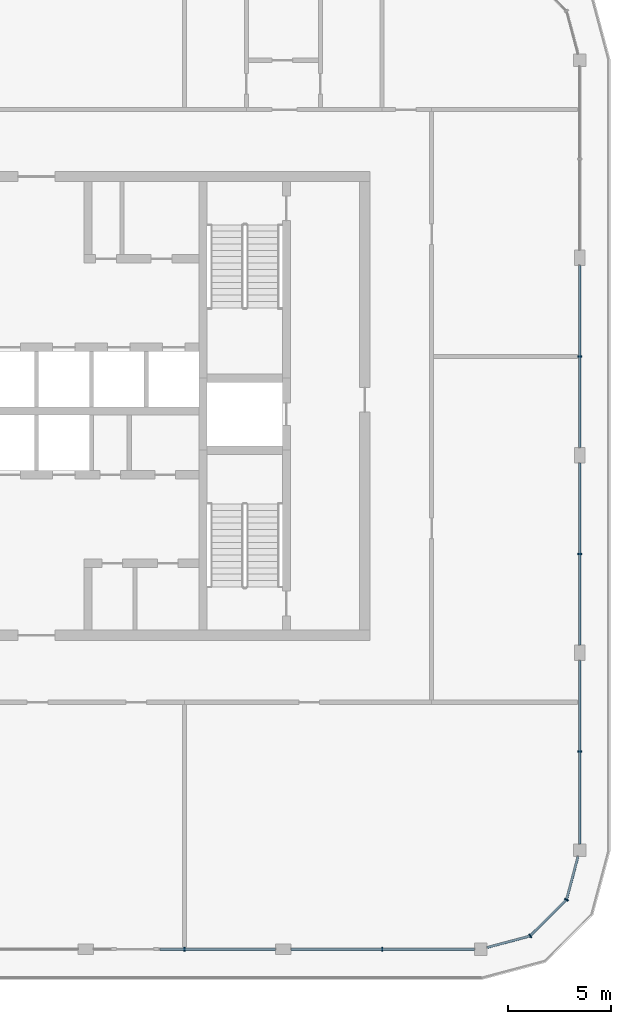
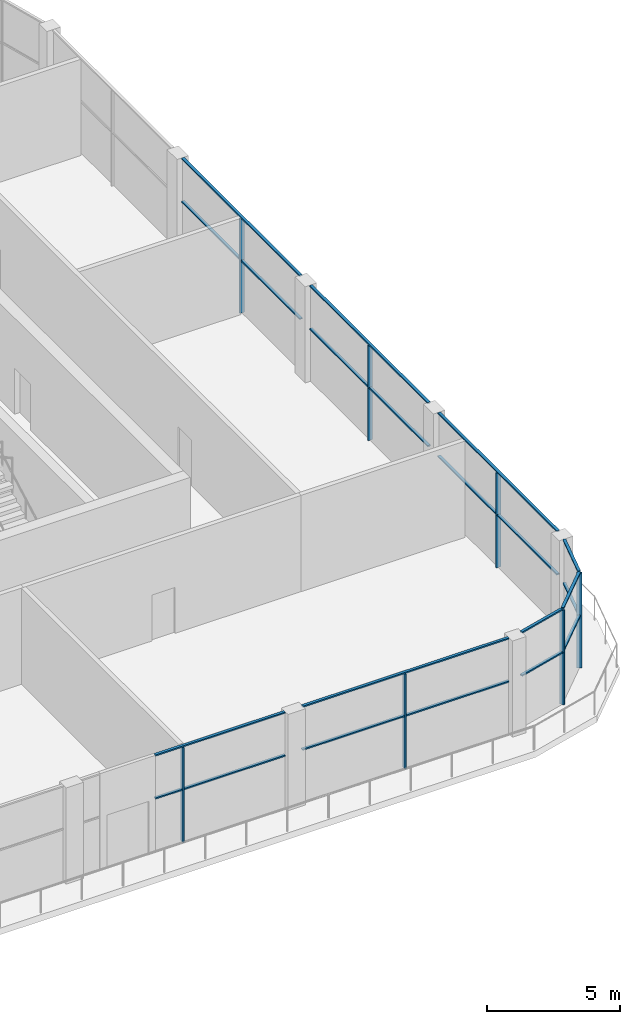
# One storey, part 4 of 15: 28 members, 6 elements without a shape of their own.
"""IFC4 building model written with IfcOpenShell, lengths in metres."""

from ifc_helpers import new_model, si_unit, direction, frame, origin, origin_2d, place, context, subcontext, project, spatial, rectangle, extrude, material, layer, layer_set, material_profile, profile_set, type_object, element, aggregate, save


model = new_model("IFC4")

# Units and contexts
model_context = context("Model", 3, precision=1e-05, world=origin(), true_north=direction((0.0, 1.0)))
body_context = subcontext(model_context, "Body", "Model", "MODEL_VIEW")
ifc_project = project(units=[si_unit("LENGTHUNIT", "METRE"), si_unit("AREAUNIT", "SQUARE_METRE"), si_unit("VOLUMEUNIT", "CUBIC_METRE"), si_unit("PLANEANGLEUNIT", "RADIAN"), si_unit("MASSUNIT", "GRAM", prefix="KILO")], contexts=[model_context])

# Site, building, storey
site_placement = place(None, origin())
site = spatial("IfcSite", under=ifc_project, at=site_placement, CompositionType="ELEMENT")
building_placement = place(site_placement, origin())
building = spatial("IfcBuilding", under=site, at=building_placement, Name="Madar Terraces", CompositionType="ELEMENT")
storey_placement = place(building_placement, frame((0.0, 0.0, 291.5)))
storey = spatial("IfcBuildingStorey", under=building, at=storey_placement, Name="L76", CompositionType="ELEMENT", Elevation=291.5)

# Curtain wall, member
ifc_material_1 = material(Name="Glass, clear low-iron, with black aluminium frame", Category="aluminium")
ifc_layer = layer(ifc_material_1, 0.199951171875)
ifc_layer_set = layer_set([ifc_layer], Name="Facade curtain wall, observation glazing")
curtain_wall_type = type_object("IfcCurtainWallType", Name="Facade curtain wall, observation glazing", PredefinedType="NOTDEFINED", material=ifc_layer_set)
curtain_wall_1_placement = place(storey_placement, origin())
curtain_wall_1 = element("IfcCurtainWall", 1, at=curtain_wall_1_placement, inside=storey, type_object=curtain_wall_type, Name="Outer skin curtain wall south bay 4", PredefinedType="NOTDEFINED")
ifc_material_2 = material(Name="Aluminium, black anodised", Category="aluminium")
ifc_material_profile_1 = material_profile(ifc_material_2, rectangle(XDim=0.199951171875, YDim=0.06005859375, at=origin_2d()), Name="Facade mullion 60x200")
ifc_profile_set_1 = profile_set([ifc_material_profile_1], Name="Aluminium, black anodised")
member_type_1 = type_object("IfcMemberType", Name="Facade mullion 60x200", PredefinedType="MULLION", material=ifc_profile_set_1)
member_1_placement = place(storey_placement, frame((38.39990234375, 0.0, 0.0), z_axis=(0.0, 0.0, 1.0), x_axis=(0.0, 1.0, 0.0)))
member_1 = element("IfcMember", 2, at=member_1_placement, type_object=member_type_1, Name="Mullion 1", PredefinedType="MULLION", context=body_context, shape_type="SweptSolid", body=[
    extrude(rectangle(XDim=0.199951171875, YDim=0.06005859375, at=origin_2d()), origin(), (0.0, 0.0, 1.0), 4.340087890625),
])

curtain_wall_2_placement = place(storey_placement, origin())
curtain_wall_2 = element("IfcCurtainWall", 3, at=curtain_wall_2_placement, inside=storey, type_object=curtain_wall_type, Name="Outer skin curtain wall south bay 5", PredefinedType="NOTDEFINED")
member_2_placement = place(storey_placement, frame((48.0, 0.0, 0.0), z_axis=(0.0, 0.0, 1.0), x_axis=(0.0, 1.0, 0.0)))
member_2 = element("IfcMember", 4, at=member_2_placement, type_object=member_type_1, Name="Mullion 1", PredefinedType="MULLION", context=body_context, shape_type="SweptSolid", body=[
    extrude(rectangle(XDim=0.199951171875, YDim=0.06005859375, at=origin_2d()), origin(), (0.0, 0.0, 1.0), 4.340087890625),
])

curtain_wall_3_placement = place(storey_placement, origin())
curtain_wall_3 = element("IfcCurtainWall", 5, at=curtain_wall_3_placement, inside=storey, type_object=curtain_wall_type, Name="Outer skin curtain wall east bay 1", PredefinedType="NOTDEFINED")
member_3_placement = place(storey_placement, frame((57.60009765625, 9.60009765625, 0.0), z_axis=(0.0, 0.0, 1.0), x_axis=(-1.0, 0.0, 0.0)))
member_3 = element("IfcMember", 6, at=member_3_placement, type_object=member_type_1, Name="Mullion 1", PredefinedType="MULLION", context=body_context, shape_type="SweptSolid", body=[
    extrude(rectangle(XDim=0.199951171875, YDim=0.06005859375, at=origin_2d()), origin(), (0.0, 0.0, 1.0), 4.340087890625),
])

curtain_wall_4_placement = place(storey_placement, origin())
curtain_wall_4 = element("IfcCurtainWall", 7, at=curtain_wall_4_placement, inside=storey, type_object=curtain_wall_type, Name="Outer skin curtain wall east bay 2", PredefinedType="NOTDEFINED")
member_4_placement = place(storey_placement, frame((57.60009765625, 19.199951171875, 0.0), z_axis=(0.0, 0.0, 1.0), x_axis=(-1.0, 0.0, 0.0)))
member_4 = element("IfcMember", 8, at=member_4_placement, type_object=member_type_1, Name="Mullion 1", PredefinedType="MULLION", context=body_context, shape_type="SweptSolid", body=[
    extrude(rectangle(XDim=0.199951171875, YDim=0.06005859375, at=origin_2d()), origin(), (0.0, 0.0, 1.0), 4.340087890625),
])

curtain_wall_5_placement = place(storey_placement, origin())
curtain_wall_5 = element("IfcCurtainWall", 9, at=curtain_wall_5_placement, inside=storey, type_object=curtain_wall_type, Name="Outer skin curtain wall east bay 3", PredefinedType="NOTDEFINED")
member_5_placement = place(storey_placement, frame((57.60009765625, 28.800048828125, 0.0), z_axis=(0.0, 0.0, 1.0), x_axis=(-1.0, 0.0, 0.0)))
member_5 = element("IfcMember", 10, at=member_5_placement, type_object=member_type_1, Name="Mullion 1", PredefinedType="MULLION", context=body_context, shape_type="SweptSolid", body=[
    extrude(rectangle(XDim=0.199951171875, YDim=0.06005859375, at=origin_2d()), origin(), (0.0, 0.0, 1.0), 4.340087890625),
])

# Curtain wall, members
curtain_wall_6_placement = place(storey_placement, origin())
curtain_wall_6 = element("IfcCurtainWall", 11, at=curtain_wall_6_placement, inside=storey, type_object=curtain_wall_type, Name="Outer skin curtain wall south-east corner", PredefinedType="NOTDEFINED")
member_6_placement = place(storey_placement, frame((55.199951171875, 0.64306640625, 0.0), z_axis=(0.0, 0.0, 1.0), x_axis=(-0.499999989586, 0.866025409797, 0.0)))
member_6 = element("IfcMember", 12, at=member_6_placement, type_object=member_type_1, Name="Mullion 1", PredefinedType="MULLION", context=body_context, shape_type="SweptSolid", body=[
    extrude(rectangle(XDim=0.199951171875, YDim=0.06005859375, at=origin_2d()), origin(), (0.0, 0.0, 1.0), 4.340087890625),
])
member_7_placement = place(storey_placement, frame((56.95703125, 2.39990234375, 0.0), z_axis=(0.0, 0.0, 1.0), x_axis=(-0.866025409797, 0.499999989586, 0.0)))
member_7 = element("IfcMember", 13, at=member_7_placement, type_object=member_type_1, Name="Mullion 2", PredefinedType="MULLION", context=body_context, shape_type="SweptSolid", body=[
    extrude(rectangle(XDim=0.199951171875, YDim=0.06005859375, at=origin_2d()), origin(), (0.0, 0.0, 1.0), 4.340087890625),
])

# Member
ifc_material_3 = material(Name="Aluminium, black anodised", Category="aluminium")
ifc_material_profile_2 = material_profile(ifc_material_3, rectangle(XDim=0.1201171875, YDim=0.06005859375, at=origin_2d()), Name="Facade transom 60x120")
ifc_profile_set_2 = profile_set([ifc_material_profile_2], Name="Aluminium, black anodised")
member_type_2 = type_object("IfcMemberType", Name="Facade transom 60x120", PredefinedType="USERDEFINED", material=ifc_profile_set_2)
member_8_placement = place(storey_placement, frame((37.199951171875, 0.0, 4.3701171875), z_axis=(1.0, 0.0, 0.0), x_axis=(0.0, 1.0, 0.0)))
member_8 = element("IfcMember", 14, at=member_8_placement, type_object=member_type_2, Name="Transom 3", ObjectType="TRANSOM", PredefinedType="USERDEFINED", context=body_context, shape_type="SweptSolid", body=[
    extrude(rectangle(XDim=0.1201171875, YDim=0.06005859375, at=origin_2d()), origin(), (0.0, 0.0, 1.0), 5.625),
])

member_9_placement = place(storey_placement, frame((37.199951171875, 0.0, 2.39990234375), z_axis=(1.0, 0.0, 0.0), x_axis=(0.0, 1.0, 0.0)))
member_9 = element("IfcMember", 15, at=member_9_placement, type_object=member_type_2, Name="Transom 4", ObjectType="TRANSOM", PredefinedType="USERDEFINED", context=body_context, shape_type="SweptSolid", body=[
    extrude(rectangle(XDim=0.1201171875, YDim=0.06005859375, at=origin_2d()), origin(), (0.0, 0.0, 1.0), 1.170166015625),
])

member_10_placement = place(storey_placement, frame((38.429931640625, 0.0, 2.39990234375), z_axis=(1.0, 0.0, 0.0), x_axis=(0.0, 1.0, 0.0)))
member_10 = element("IfcMember", 16, at=member_10_placement, type_object=member_type_2, Name="Transom 5", ObjectType="TRANSOM", PredefinedType="USERDEFINED", context=body_context, shape_type="SweptSolid", body=[
    extrude(rectangle(XDim=0.1201171875, YDim=0.06005859375, at=origin_2d()), origin(), (0.0, 0.0, 1.0), 4.39501953125),
])

aggregate(curtain_wall_1, [member_1, member_8, member_9, member_10])

member_11_placement = place(storey_placement, frame((43.574951171875, 0.0, 4.3701171875), z_axis=(1.0, 0.0, 0.0), x_axis=(0.0, 1.0, 0.0)))
member_11 = element("IfcMember", 17, at=member_11_placement, type_object=member_type_2, Name="Transom 1", ObjectType="TRANSOM", PredefinedType="USERDEFINED", context=body_context, shape_type="SweptSolid", body=[
    extrude(rectangle(XDim=0.1201171875, YDim=0.06005859375, at=origin_2d()), origin(), (0.0, 0.0, 1.0), 8.925048828125),
])

member_12_placement = place(storey_placement, frame((43.574951171875, 0.0, 2.39990234375), z_axis=(1.0, 0.0, 0.0), x_axis=(0.0, 1.0, 0.0)))
member_12 = element("IfcMember", 18, at=member_12_placement, type_object=member_type_2, Name="Transom 2", ObjectType="TRANSOM", PredefinedType="USERDEFINED", context=body_context, shape_type="SweptSolid", body=[
    extrude(rectangle(XDim=0.1201171875, YDim=0.06005859375, at=origin_2d()), origin(), (0.0, 0.0, 1.0), 4.39501953125),
])

member_13_placement = place(storey_placement, frame((48.030029296875, 0.0, 2.39990234375), z_axis=(1.0, 0.0, 0.0), x_axis=(0.0, 1.0, 0.0)))
member_13 = element("IfcMember", 19, at=member_13_placement, type_object=member_type_2, Name="Transom 3", ObjectType="TRANSOM", PredefinedType="USERDEFINED", context=body_context, shape_type="SweptSolid", body=[
    extrude(rectangle(XDim=0.1201171875, YDim=0.06005859375, at=origin_2d()), origin(), (0.0, 0.0, 1.0), 4.469970703125),
])

aggregate(curtain_wall_2, [member_2, member_11, member_12, member_13])

member_14_placement = place(storey_placement, frame((57.60009765625, 5.10009765625, 4.3701171875), z_axis=(0.0, 1.0, 0.0), x_axis=(-1.0, 0.0, 0.0)))
member_14 = element("IfcMember", 20, at=member_14_placement, type_object=member_type_2, Name="Transom 1", ObjectType="TRANSOM", PredefinedType="USERDEFINED", context=body_context, shape_type="SweptSolid", body=[
    extrude(rectangle(XDim=0.1201171875, YDim=0.06005859375, at=origin_2d()), origin(), (0.0, 0.0, 1.0), 8.9248046875),
])

member_15_placement = place(storey_placement, frame((57.60009765625, 5.10009765625, 2.39990234375), z_axis=(0.0, 1.0, 0.0), x_axis=(-1.0, 0.0, 0.0)))
member_15 = element("IfcMember", 21, at=member_15_placement, type_object=member_type_2, Name="Transom 2", ObjectType="TRANSOM", PredefinedType="USERDEFINED", context=body_context, shape_type="SweptSolid", body=[
    extrude(rectangle(XDim=0.1201171875, YDim=0.06005859375, at=origin_2d()), origin(), (0.0, 0.0, 1.0), 4.469970703125),
])

member_16_placement = place(storey_placement, frame((57.60009765625, 9.6298828125, 2.39990234375), z_axis=(0.0, 1.0, 0.0), x_axis=(-1.0, 0.0, 0.0)))
member_16 = element("IfcMember", 22, at=member_16_placement, type_object=member_type_2, Name="Transom 3", ObjectType="TRANSOM", PredefinedType="USERDEFINED", context=body_context, shape_type="SweptSolid", body=[
    extrude(rectangle(XDim=0.1201171875, YDim=0.06005859375, at=origin_2d()), origin(), (0.0, 0.0, 1.0), 4.39501953125),
])

aggregate(curtain_wall_3, [member_3, member_14, member_15, member_16])

member_17_placement = place(storey_placement, frame((57.60009765625, 14.77490234375, 4.3701171875), z_axis=(0.0, 1.0, 0.0), x_axis=(-1.0, 0.0, 0.0)))
member_17 = element("IfcMember", 23, at=member_17_placement, type_object=member_type_2, Name="Transom 1", ObjectType="TRANSOM", PredefinedType="USERDEFINED", context=body_context, shape_type="SweptSolid", body=[
    extrude(rectangle(XDim=0.1201171875, YDim=0.06005859375, at=origin_2d()), origin(), (0.0, 0.0, 1.0), 8.85009765625),
])

member_18_placement = place(storey_placement, frame((57.60009765625, 14.77490234375, 2.39990234375), z_axis=(0.0, 1.0, 0.0), x_axis=(-1.0, 0.0, 0.0)))
member_18 = element("IfcMember", 24, at=member_18_placement, type_object=member_type_2, Name="Transom 2", ObjectType="TRANSOM", PredefinedType="USERDEFINED", context=body_context, shape_type="SweptSolid", body=[
    extrude(rectangle(XDim=0.1201171875, YDim=0.06005859375, at=origin_2d()), origin(), (0.0, 0.0, 1.0), 4.39501953125),
])

member_19_placement = place(storey_placement, frame((57.60009765625, 19.22998046875, 2.39990234375), z_axis=(0.0, 1.0, 0.0), x_axis=(-1.0, 0.0, 0.0)))
member_19 = element("IfcMember", 25, at=member_19_placement, type_object=member_type_2, Name="Transom 3", ObjectType="TRANSOM", PredefinedType="USERDEFINED", context=body_context, shape_type="SweptSolid", body=[
    extrude(rectangle(XDim=0.1201171875, YDim=0.06005859375, at=origin_2d()), origin(), (0.0, 0.0, 1.0), 4.39501953125),
])

aggregate(curtain_wall_4, [member_4, member_17, member_18, member_19])

member_20_placement = place(storey_placement, frame((57.60009765625, 24.375, 4.3701171875), z_axis=(0.0, 1.0, 0.0), x_axis=(-1.0, 0.0, 0.0)))
member_20 = element("IfcMember", 26, at=member_20_placement, type_object=member_type_2, Name="Transom 1", ObjectType="TRANSOM", PredefinedType="USERDEFINED", context=body_context, shape_type="SweptSolid", body=[
    extrude(rectangle(XDim=0.1201171875, YDim=0.06005859375, at=origin_2d()), origin(), (0.0, 0.0, 1.0), 8.85009765625),
])

member_21_placement = place(storey_placement, frame((57.60009765625, 24.375, 2.39990234375), z_axis=(0.0, 1.0, 0.0), x_axis=(-1.0, 0.0, 0.0)))
member_21 = element("IfcMember", 27, at=member_21_placement, type_object=member_type_2, Name="Transom 2", ObjectType="TRANSOM", PredefinedType="USERDEFINED", context=body_context, shape_type="SweptSolid", body=[
    extrude(rectangle(XDim=0.1201171875, YDim=0.06005859375, at=origin_2d()), origin(), (0.0, 0.0, 1.0), 4.39501953125),
])

member_22_placement = place(storey_placement, frame((57.60009765625, 28.830078125, 2.39990234375), z_axis=(0.0, 1.0, 0.0), x_axis=(-1.0, 0.0, 0.0)))
member_22 = element("IfcMember", 28, at=member_22_placement, type_object=member_type_2, Name="Transom 3", ObjectType="TRANSOM", PredefinedType="USERDEFINED", context=body_context, shape_type="SweptSolid", body=[
    extrude(rectangle(XDim=0.1201171875, YDim=0.06005859375, at=origin_2d()), origin(), (0.0, 0.0, 1.0), 4.39501953125),
])

aggregate(curtain_wall_5, [member_5, member_20, member_21, member_22])

member_23_placement = place(storey_placement, frame((53.10009765625, 0.080322265625, 4.3701171875), z_axis=(0.965926196336, 0.258817664066, 0.0), x_axis=(-0.258817664066, 0.965926196336, 0.0)))
member_23 = element("IfcMember", 29, at=member_23_placement, type_object=member_type_2, Name="Transom 1", ObjectType="TRANSOM", PredefinedType="USERDEFINED", context=body_context, shape_type="SweptSolid", body=[
    extrude(rectangle(XDim=0.1201171875, YDim=0.06005859375, at=origin_2d()), origin(), (0.0, 0.0, 1.0), 2.14404296875),
])

member_24_placement = place(storey_placement, frame((53.10009765625, 0.080322265625, 2.39990234375), z_axis=(0.965926196336, 0.258817664066, 0.0), x_axis=(-0.258817664066, 0.965926196336, 0.0)))
member_24 = element("IfcMember", 30, at=member_24_placement, type_object=member_type_2, Name="Transom 2", ObjectType="TRANSOM", PredefinedType="USERDEFINED", context=body_context, shape_type="SweptSolid", body=[
    extrude(rectangle(XDim=0.1201171875, YDim=0.06005859375, at=origin_2d()), origin(), (0.0, 0.0, 1.0), 2.14404296875),
])

member_25_placement = place(storey_placement, frame((55.22119140625, 0.664306640625, 4.3701171875), z_axis=(0.707106781187, 0.707106781187, 0.0), x_axis=(-0.707106781187, 0.707106781187, 0.0)))
member_25 = element("IfcMember", 31, at=member_25_placement, type_object=member_type_2, Name="Transom 3", ObjectType="TRANSOM", PredefinedType="USERDEFINED", context=body_context, shape_type="SweptSolid", body=[
    extrude(rectangle(XDim=0.1201171875, YDim=0.06005859375, at=origin_2d()), origin(), (0.0, 0.0, 1.0), 2.4248046875),
])

member_26_placement = place(storey_placement, frame((55.22119140625, 0.664306640625, 2.39990234375), z_axis=(0.707106781187, 0.707106781187, 0.0), x_axis=(-0.707106781187, 0.707106781187, 0.0)))
member_26 = element("IfcMember", 32, at=member_26_placement, type_object=member_type_2, Name="Transom 4", ObjectType="TRANSOM", PredefinedType="USERDEFINED", context=body_context, shape_type="SweptSolid", body=[
    extrude(rectangle(XDim=0.1201171875, YDim=0.06005859375, at=origin_2d()), origin(), (0.0, 0.0, 1.0), 2.4248046875),
])

member_27_placement = place(storey_placement, frame((56.964599609375, 2.428955078125, 4.3701171875), z_axis=(0.258817664066, 0.965926196336, 0.0), x_axis=(-0.965926196336, 0.258817664066, 0.0)))
member_27 = element("IfcMember", 33, at=member_27_placement, type_object=member_type_2, Name="Transom 5", ObjectType="TRANSOM", PredefinedType="USERDEFINED", context=body_context, shape_type="SweptSolid", body=[
    extrude(rectangle(XDim=0.1201171875, YDim=0.06005859375, at=origin_2d()), origin(), (0.0, 0.0, 1.0), 2.14404296875),
])

member_28_placement = place(storey_placement, frame((56.964599609375, 2.428955078125, 2.39990234375), z_axis=(0.258817664066, 0.965926196336, 0.0), x_axis=(-0.965926196336, 0.258817664066, 0.0)))
member_28 = element("IfcMember", 34, at=member_28_placement, type_object=member_type_2, Name="Transom 6", ObjectType="TRANSOM", PredefinedType="USERDEFINED", context=body_context, shape_type="SweptSolid", body=[
    extrude(rectangle(XDim=0.1201171875, YDim=0.06005859375, at=origin_2d()), origin(), (0.0, 0.0, 1.0), 2.14404296875),
])

aggregate(curtain_wall_6, [member_6, member_23, member_24, member_7, member_25, member_26, member_27, member_28])

save(model, "model.ifc")
